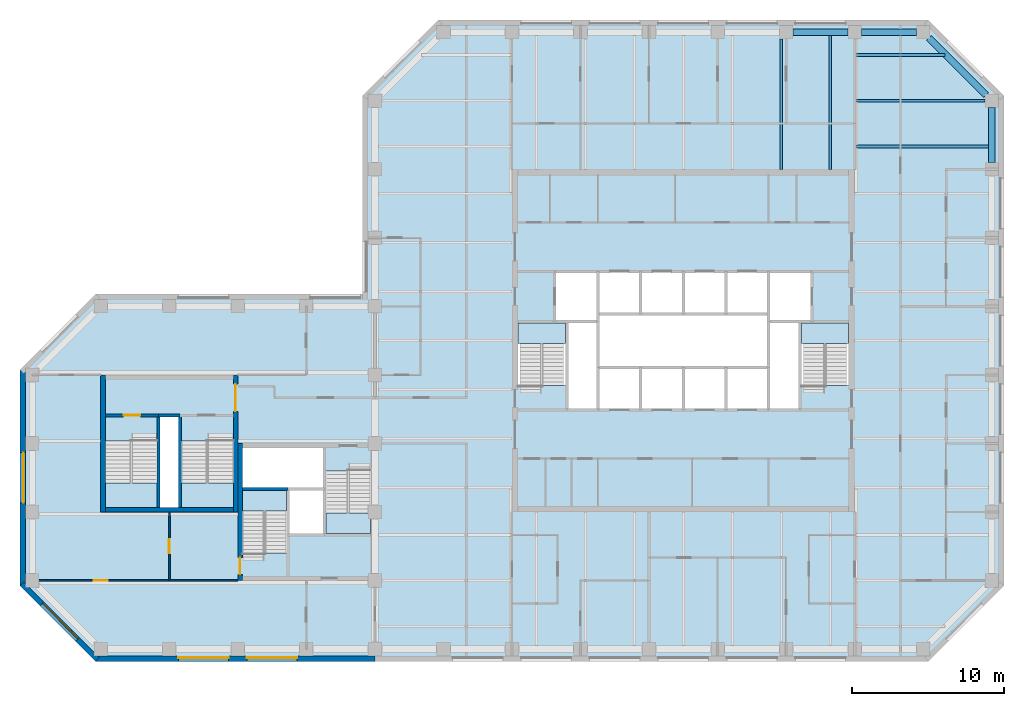
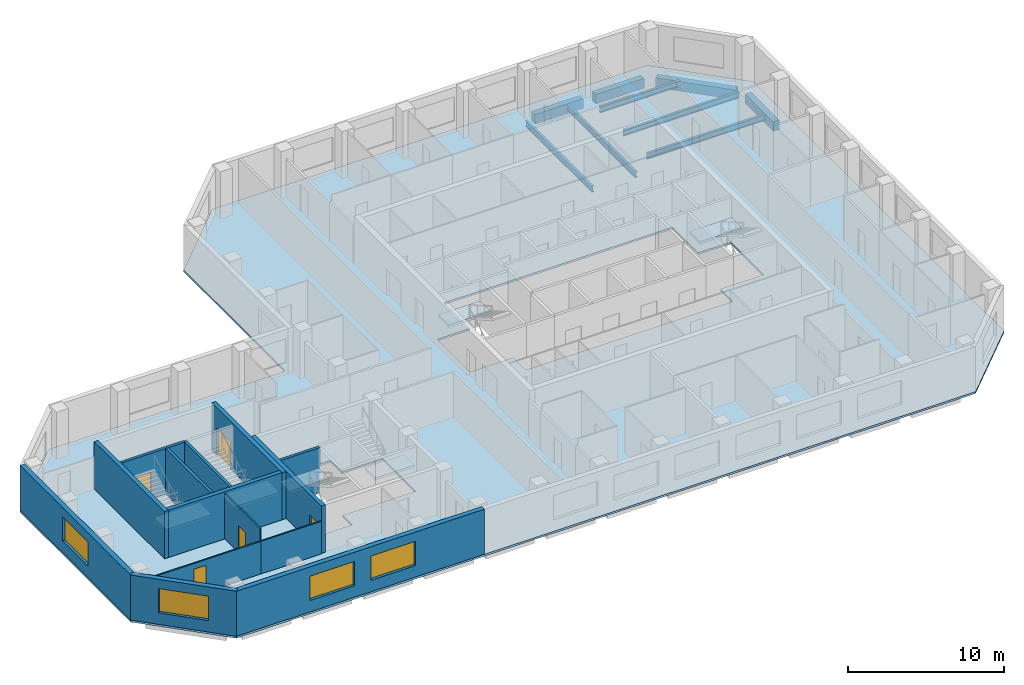
# One storey, part 2 of 9: 15 walls, 9 beams, 7 slabs, 5 doors, 4 windows, 9 openings, 6 elements without a shape of their own.
"""IFC4 building model written with IfcOpenShell, lengths in metres."""

from ifc_helpers import new_model, si_unit, direction, frame, frame_2d, origin, origin_2d, place, context, subcontext, project, spatial, polyline, rectangle, i_section, outline, extrude, material, layer, layer_set, constituent, constituent_set, material_profile, profile_set, type_object, element, fill, aggregate, save


model = new_model("IFC4")

# Units and contexts
model_context = context("Model", 3, precision=1e-05, world=origin(), true_north=direction((0.0, 1.0)))
body_context = subcontext(model_context, "Body", "Model", "MODEL_VIEW")
ifc_project = project(units=[si_unit("LENGTHUNIT", "METRE"), si_unit("AREAUNIT", "SQUARE_METRE"), si_unit("VOLUMEUNIT", "CUBIC_METRE"), si_unit("PLANEANGLEUNIT", "RADIAN"), si_unit("MASSUNIT", "GRAM", prefix="KILO")], contexts=[model_context])

# Site, building, storey
site_placement = place(None, origin())
site = spatial("IfcSite", under=ifc_project, at=site_placement, CompositionType="ELEMENT")
building_placement = place(site_placement, origin())
building = spatial("IfcBuilding", under=site, at=building_placement, Name="Quoin Convention Tower", CompositionType="ELEMENT")
storey_placement = place(building_placement, frame((0.0, 0.0, 237.800048828125)))
storey = spatial("IfcBuildingStorey", under=building, at=storey_placement, Name="L62", CompositionType="ELEMENT", Elevation=237.800048828125)

# Beams
ifc_material_1 = material(Name="Steel Grade 300", Category="steel")
ifc_material_profile_1 = material_profile(ifc_material_1, i_section(OverallWidth=0.18994140625, OverallDepth=0.4541015625, WebThickness=0.008544921875, FlangeThickness=0.0126953125, FilletRadius=0.011474609375, at=origin_2d()), Name="460UB67.1")
ifc_profile_set_1 = profile_set([ifc_material_profile_1], Name="Steel Grade 300")
beam_type_1 = type_object("IfcBeamType", Name="460UB67.1", PredefinedType="BEAM", material=ifc_profile_set_1)
beam_1_placement = place(storey_placement, frame((62.6787109375, 72.0, -0.376953125), z_axis=(0.0, 1.0, 0.0), x_axis=(-1.0, 0.0, 0.0)))
element("IfcBeam", 1, at=beam_1_placement, inside=storey, type_object=beam_type_1, Name="bm-L62-T1N5", PredefinedType="BEAM", context=body_context, shape_type="SweptSolid", body=[
    extrude(i_section(OverallWidth=0.18994140625, OverallDepth=0.4541015625, WebThickness=0.008544921875, FlangeThickness=0.0126953125, FilletRadius=0.011474609375, at=origin_2d()), origin(), (0.0, 0.0, 1.0), 8.550048828125),
])
beam_2_placement = place(storey_placement, frame((65.892822265625, 72.0, -0.376953125), z_axis=(0.0, 1.0, 0.0), x_axis=(-1.0, 0.0, 0.0)))
element("IfcBeam", 2, at=beam_2_placement, inside=storey, type_object=beam_type_1, Name="bm-L62-T1N6", PredefinedType="BEAM", context=body_context, shape_type="SweptSolid", body=[
    extrude(i_section(OverallWidth=0.18994140625, OverallDepth=0.4541015625, WebThickness=0.008544921875, FlangeThickness=0.0126953125, FilletRadius=0.011474609375, at=origin_2d()), origin(), (0.0, 0.0, 1.0), 8.77490234375),
])
beam_3_placement = place(storey_placement, frame((67.5, 79.5, -0.376953125), z_axis=(1.0, 0.0, 0.0), x_axis=(0.0, 1.0, 0.0)))
element("IfcBeam", 3, at=beam_3_placement, inside=storey, type_object=beam_type_1, Name="bm-L62-T1NE0", PredefinedType="BEAM", context=body_context, shape_type="SweptSolid", body=[
    extrude(i_section(OverallWidth=0.18994140625, OverallDepth=0.4541015625, WebThickness=0.008544921875, FlangeThickness=0.0126953125, FilletRadius=0.011474609375, at=origin_2d()), origin(), (0.0, 0.0, 1.0), 5.935791015625),
])
beam_4_placement = place(storey_placement, frame((67.5, 76.5, -0.376953125), z_axis=(1.0, 0.0, 0.0), x_axis=(0.0, 1.0, 0.0)))
element("IfcBeam", 4, at=beam_4_placement, inside=storey, type_object=beam_type_1, Name="bm-L62-T1NE1", PredefinedType="BEAM", context=body_context, shape_type="SweptSolid", body=[
    extrude(i_section(OverallWidth=0.18994140625, OverallDepth=0.4541015625, WebThickness=0.008544921875, FlangeThickness=0.0126953125, FilletRadius=0.011474609375, at=origin_2d()), origin(), (0.0, 0.0, 1.0), 8.550048828125),
])
beam_5_placement = place(storey_placement, frame((67.5, 73.5, -0.376953125), z_axis=(1.0, 0.0, 0.0), x_axis=(0.0, 1.0, 0.0)))
element("IfcBeam", 5, at=beam_5_placement, inside=storey, type_object=beam_type_1, Name="bm-L62-T1NE2", PredefinedType="BEAM", context=body_context, shape_type="SweptSolid", body=[
    extrude(i_section(OverallWidth=0.18994140625, OverallDepth=0.4541015625, WebThickness=0.008544921875, FlangeThickness=0.0126953125, FilletRadius=0.011474609375, at=origin_2d()), origin(), (0.0, 0.0, 1.0), 8.77490234375),
])
ifc_material_2 = material(Name="Concrete C50", Category="concrete")
ifc_material_profile_2 = material_profile(ifc_material_2, rectangle(XDim=0.449951171875, YDim=0.75, at=origin_2d()), Name="RC 450x750")
ifc_profile_set_2 = profile_set([ifc_material_profile_2], Name="Concrete C50")
beam_type_2 = type_object("IfcBeamType", Name="RC 450x750 C50", PredefinedType="SPANDREL", material=ifc_profile_set_2)
beam_6_placement = place(storey_placement, frame((76.5, 72.449951171875, -0.525146484375), z_axis=(0.0, 1.0, 0.0), x_axis=(-1.0, 0.0, 0.0)))
element("IfcBeam", 6, at=beam_6_placement, inside=storey, type_object=beam_type_2, Name="spd-L62-76500_72000-76500_76500", PredefinedType="SPANDREL", context=body_context, shape_type="SweptSolid", body=[
    extrude(rectangle(XDim=0.449951171875, YDim=0.75, at=origin_2d()), origin(), (0.0, 0.0, 1.0), 3.60009765625),
])
beam_7_placement = place(storey_placement, frame((76.135009765625, 76.864990234375, -0.525146484375), z_axis=(-0.707106781187, 0.707106781187, 0.0), x_axis=(-0.707106781187, -0.707106781187, 0.0)))
element("IfcBeam", 7, at=beam_7_placement, inside=storey, type_object=beam_type_2, Name="spd-L62-76500_76500-72000_81000", PredefinedType="SPANDREL", context=body_context, shape_type="SweptSolid", body=[
    extrude(rectangle(XDim=0.449951171875, YDim=0.75, at=origin_2d()), origin(), (0.0, 0.0, 1.0), 5.33154296875),
])
for number, where, z_axis, x_axis, name in (
    (8, (71.550048828125, 81.0, -0.525146484375), (-1.0, 0.0, 0.0), (0.0, -1.0, 0.0), "spd-L62-72000_81000-67500_81000"),
    (9, (67.050048828125, 81.0, -0.525146484375), (-1.0, 0.0, 0.0), (0.0, -1.0, 0.0), "spd-L62-67500_81000-63000_81000"),
):
    element("IfcBeam", number, at=place(storey_placement, frame(where, z_axis=z_axis, x_axis=x_axis)), inside=storey, type_object=beam_type_2, Name=name, PredefinedType="SPANDREL", context=body_context, shape_type="SweptSolid", body=[
        extrude(rectangle(XDim=0.449951171875, YDim=0.75, at=origin_2d()), origin(), (0.0, 0.0, 1.0), 3.60009765625),
    ])

# Slab
ifc_material_3 = material(Name="Concrete C40", Category="concrete")
ifc_layer_1 = layer(ifc_material_3, 0.14990234375)
ifc_layer_set_1 = layer_set([ifc_layer_1], Name="Concrete C40")
slab_type_1 = type_object("IfcSlabType", Name="COMPOSITE SLAB 150 C40", PredefinedType="FLOOR", material=ifc_layer_set_1)
slab_1_placement = place(storey_placement, frame((0.0, 0.0, -0.150146484375)))
element("IfcSlab", 10, at=slab_1_placement, inside=storey, type_object=slab_type_1, Name="slb-L62", PredefinedType="FLOOR", context=body_context, shape_type="SweptSolid", body=[
    extrude(outline(polyline([(17.668701171875, 39.699951171875), (12.699951171875, 44.668701171875), (12.699951171875, 58.831298828125), (17.668701171875, 63.800048828125), (35.199951171875, 63.800048828125), (35.199951171875, 76.831298828125), (40.168701171875, 81.800048828125), (72.331298828125, 81.800048828125), (77.300048828125, 76.831298828125), (77.300048828125, 44.668701171875), (72.331298828125, 39.699951171875), (17.668701171875, 39.699951171875)]), holes=[polyline([(27.300048828125, 51.0), (27.300048828125, 46.800537109375), (30.300048828125, 46.800537109375), (30.300048828125, 48.0), (32.699951171875, 48.0), (35.699951171875, 48.0), (35.699951171875, 52.199462890625), (32.699951171875, 52.199462890625), (32.699951171875, 53.699951171875), (27.300048828125, 53.699951171875), (27.300048828125, 51.0)]), polyline([(18.300048828125, 49.800048828125), (21.800048828125, 49.800048828125), (23.199951171875, 49.800048828125), (26.699951171875, 49.800048828125), (26.699951171875, 54.1494140625), (23.199951171875, 54.1494140625), (23.199951171875, 55.85009765625), (21.800048828125, 55.85009765625), (21.800048828125, 54.1494140625), (18.300048828125, 54.1494140625), (18.300048828125, 49.800048828125)]), polyline([(48.60009765625, 56.199951171875), (50.64990234375, 56.199951171875), (53.449951171875, 56.199951171875), (56.25, 56.199951171875), (59.050048828125, 56.199951171875), (61.85009765625, 56.199951171875), (63.89990234375, 56.199951171875), (63.89990234375, 57.800537109375), (67.10009765625, 57.800537109375), (67.10009765625, 62.0), (64.699951171875, 62.0), (64.699951171875, 65.300048828125), (61.85009765625, 65.300048828125), (59.050048828125, 65.300048828125), (56.25, 65.300048828125), (53.449951171875, 65.300048828125), (50.64990234375, 65.300048828125), (47.800048828125, 65.300048828125), (47.800048828125, 62.0), (45.39990234375, 62.0), (45.39990234375, 57.800537109375), (48.60009765625, 57.800537109375), (48.60009765625, 56.199951171875)])]), origin(), (0.0, 0.0, 1.0), 0.150146484375),
])

# Stair, slab
stair_type_1 = type_object("IfcStairType", Name="Exit stair two-flight 1350", PredefinedType="HALF_TURN_STAIR", material=ifc_material_3)
stair_1_placement = place(storey_placement, origin())
stair_1 = element("IfcStair", 11, at=stair_1_placement, inside=storey, type_object=stair_type_1, Name="SD1 L62", PredefinedType="HALF_TURN_STAIR")
ifc_layer_2 = layer(ifc_material_3, 0.199951171875)
ifc_layer_set_2 = layer_set([ifc_layer_2], Name="Concrete C40")
slab_type_2 = type_object("IfcSlabType", Name="Stair landing 200", PredefinedType="LANDING", material=ifc_layer_set_2)
slab_2_placement = place(storey_placement, frame((0.0, 0.0, 1.792236328125)))
slab_2 = element("IfcSlab", 12, at=slab_2_placement, type_object=slab_type_2, Name="ST1 landing 1", PredefinedType="LANDING", context=body_context, shape_type="SweptSolid", body=[
    extrude(outline(polyline([(45.39990234375, 60.550048828125), (48.5, 60.550048828125), (48.5, 61.89990234375), (45.39990234375, 61.89990234375), (45.39990234375, 60.550048828125)])), origin(), (0.0, 0.0, 1.0), 0.199951171875),
])
aggregate(stair_1, [slab_2])

stair_2_placement = place(storey_placement, origin())
stair_2 = element("IfcStair", 13, at=stair_2_placement, inside=storey, type_object=stair_type_1, Name="SD2 L62", PredefinedType="HALF_TURN_STAIR")
slab_3_placement = place(storey_placement, frame((0.0, 0.0, 1.792236328125)))
slab_3 = element("IfcSlab", 14, at=slab_3_placement, type_object=slab_type_2, Name="ST2 landing 1", PredefinedType="LANDING", context=body_context, shape_type="SweptSolid", body=[
    extrude(outline(polyline([(64.0, 60.550048828125), (67.10009765625, 60.550048828125), (67.10009765625, 61.89990234375), (64.0, 61.89990234375), (64.0, 60.550048828125)])), origin(), (0.0, 0.0, 1.0), 0.199951171875),
])
aggregate(stair_2, [slab_3])

stair_3_placement = place(storey_placement, origin())
stair_3 = element("IfcStair", 15, at=stair_3_placement, inside=storey, type_object=stair_type_1, Name="SD3 L62", PredefinedType="HALF_TURN_STAIR")
slab_4_placement = place(storey_placement, frame((0.0, 0.0, 1.792236328125)))
slab_4 = element("IfcSlab", 16, at=slab_4_placement, type_object=slab_type_2, Name="ST3 landing 1", PredefinedType="LANDING", context=body_context, shape_type="SweptSolid", body=[
    extrude(outline(polyline([(27.300048828125, 49.550048828125), (30.199951171875, 49.550048828125), (30.199951171875, 50.89990234375), (27.300048828125, 50.89990234375), (27.300048828125, 49.550048828125)])), origin(), (0.0, 0.0, 1.0), 0.199951171875),
])
aggregate(stair_3, [slab_4])

stair_4_placement = place(storey_placement, origin())
stair_4 = element("IfcStair", 17, at=stair_4_placement, inside=storey, type_object=stair_type_1, Name="SD4 L62", PredefinedType="HALF_TURN_STAIR")
slab_5_placement = place(storey_placement, frame((0.0, 0.0, 1.792236328125)))
slab_5 = element("IfcSlab", 18, at=slab_5_placement, type_object=slab_type_2, Name="ST4 landing 1", PredefinedType="LANDING", context=body_context, shape_type="SweptSolid", body=[
    extrude(outline(polyline([(35.699951171875, 49.449951171875), (32.800048828125, 49.449951171875), (32.800048828125, 48.10009765625), (35.699951171875, 48.10009765625), (35.699951171875, 49.449951171875)])), origin(), (0.0, 0.0, 1.0), 0.199951171875),
])
aggregate(stair_4, [slab_5])

stair_type_2 = type_object("IfcStairType", Name="Exit stair two-flight 1600", PredefinedType="HALF_TURN_STAIR", material=ifc_material_3)
stair_5_placement = place(storey_placement, origin())
stair_5 = element("IfcStair", 19, at=stair_5_placement, inside=storey, type_object=stair_type_2, Name="SD11 L62", PredefinedType="HALF_TURN_STAIR")
slab_6_placement = place(storey_placement, frame((0.0, 0.0, 1.792236328125)))
slab_6 = element("IfcSlab", 20, at=slab_6_placement, type_object=slab_type_2, Name="ST11 landing 1", PredefinedType="LANDING", context=body_context, shape_type="SweptSolid", body=[
    extrude(outline(polyline([(21.699951171875, 51.39990234375), (18.300048828125, 51.39990234375), (18.300048828125, 49.800048828125), (21.699951171875, 49.800048828125), (21.699951171875, 51.39990234375)])), origin(), (0.0, 0.0, 1.0), 0.199951171875),
])
aggregate(stair_5, [slab_6])

stair_6_placement = place(storey_placement, origin())
stair_6 = element("IfcStair", 21, at=stair_6_placement, inside=storey, type_object=stair_type_2, Name="SD12 L62", PredefinedType="HALF_TURN_STAIR")
slab_7_placement = place(storey_placement, frame((0.0, 0.0, 1.792236328125)))
slab_7 = element("IfcSlab", 22, at=slab_7_placement, type_object=slab_type_2, Name="ST12 landing 1", PredefinedType="LANDING", context=body_context, shape_type="SweptSolid", body=[
    extrude(outline(polyline([(26.699951171875, 51.39990234375), (23.300048828125, 51.39990234375), (23.300048828125, 49.800048828125), (26.699951171875, 49.800048828125), (26.699951171875, 51.39990234375)])), origin(), (0.0, 0.0, 1.0), 0.199951171875),
])
aggregate(stair_6, [slab_7])

# Wall, opening, window
ifc_material_4 = material(Name="Brick masonry", Category="masonry")
ifc_layer_3 = layer(ifc_material_4, 0.35009765625)
ifc_layer_set_3 = layer_set([ifc_layer_3], Name="Brick masonry")
wall_type_1 = type_object("IfcWallType", Name="Brick facade wall", PredefinedType="STANDARD", material=ifc_layer_set_3)
wall_1_placement = place(storey_placement, frame((12.875, 58.831298828125, 0.0), z_axis=(0.0, 0.0, 1.0), x_axis=(0.0, -1.0, 0.0)))
wall_1 = element("IfcWall", 23, at=wall_1_placement, inside=storey, type_object=wall_type_1, Name="fw-L62-13500_58500", PredefinedType="STANDARD", context=body_context, shape_type="SweptSolid", body=[
    extrude(rectangle(XDim=14.16259765625, YDim=0.35009765625, at=frame_2d((7.081298828125, 0.0))), origin(), (0.0, 0.0, 1.0), 3.52490234375),
])
opening_1_placement = place(wall_1_placement, frame((5.431396484375, 0.0, 0.89990234375)))
opening_1 = element("IfcOpeningElement", 24, at=opening_1_placement, cuts=wall_1, Name="Opening W-02", PredefinedType="OPENING", context=body_context, shape_type="SweptSolid", body=[
    extrude(rectangle(XDim=3.300048828125, YDim=1.89990234375, at=frame_2d((1.64990234375, 0.949951171875))), frame((0.0, 0.18505859375, 0.0), z_axis=(0.0, -1.0, 0.0), x_axis=(1.0, 0.0, 0.0)), (0.0, 0.0, 1.0), 0.3701171875),
])
ifc_material_5 = material(Name="Aluminium", Category="aluminium")
ifc_constituent_1 = constituent(ifc_material_5, Name="Frame")
ifc_material_6 = material(Name="Insulated glass", Category="glass")
ifc_constituent_2 = constituent(ifc_material_6, Name="Glazing")
ifc_constituent_set = constituent_set(constituents=[ifc_constituent_1, ifc_constituent_2], Name="Aluminium")
window_type = type_object("IfcWindowType", Name="Office window", PartitioningType="DOUBLE_PANEL_VERTICAL", PredefinedType="WINDOW", material=ifc_constituent_set)
window_1_placement = place(opening_1_placement, origin())
window_1 = element("IfcWindow", 25, at=window_1_placement, inside=storey, type_object=window_type, Name="win-L62-12875_51750", OverallHeight=1.89990234375, OverallWidth=3.300048828125, PartitioningType="SINGLE_PANEL", PredefinedType="WINDOW", context=body_context, shape_type="SweptSolid", body=[
    extrude(rectangle(XDim=3.300048828125, YDim=1.89990234375, at=frame_2d((1.64990234375, 0.949951171875))), frame((0.0, 0.0849609375, 0.0), z_axis=(0.0, -1.0, 0.0), x_axis=(1.0, 0.0, 0.0)), (0.0, 0.0, 1.0), 0.06005859375),
])
fill(opening_1, window_1)

wall_2_placement = place(storey_placement, frame((12.82373046875, 44.79248046875, 0.0), z_axis=(0.0, 0.0, 1.0), x_axis=(0.707106781187, -0.707106781187, 0.0)))
wall_2 = element("IfcWall", 26, at=wall_2_placement, inside=storey, type_object=wall_type_1, Name="fw-L62-13500_45000", PredefinedType="STANDARD", context=body_context, shape_type="SweptSolid", body=[
    extrude(rectangle(XDim=7.02685546875, YDim=0.35009765625, at=frame_2d((3.513427734375, 0.0))), origin(), (0.0, 0.0, 1.0), 3.52490234375),
])
opening_2_placement = place(wall_2_placement, frame((1.86328125, 0.0, 0.89990234375)))
opening_2 = element("IfcOpeningElement", 27, at=opening_2_placement, cuts=wall_2, Name="Opening W-02", PredefinedType="OPENING", context=body_context, shape_type="SweptSolid", body=[
    extrude(rectangle(XDim=3.300048828125, YDim=1.89990234375, at=frame_2d((1.64990234375, 0.949951171875))), frame((0.0, 0.18505859375, 0.0), z_axis=(0.0, -1.0, 0.0), x_axis=(1.0, 0.0, 0.0)), (0.0, 0.0, 1.0), 0.3701171875),
])
window_2_placement = place(opening_2_placement, origin())
window_2 = element("IfcWindow", 28, at=window_2_placement, inside=storey, type_object=window_type, Name="win-L62-15308_42308", OverallHeight=1.89990234375, OverallWidth=3.300048828125, PartitioningType="SINGLE_PANEL", PredefinedType="WINDOW", context=body_context, shape_type="SweptSolid", body=[
    extrude(rectangle(XDim=3.300048828125, YDim=1.89990234375, at=frame_2d((1.64990234375, 0.949951171875))), frame((0.0, 0.0849609375, 0.0), z_axis=(0.0, -1.0, 0.0), x_axis=(1.0, 0.0, 0.0)), (0.0, 0.0, 1.0), 0.06005859375),
])
fill(opening_2, window_2)

# Wall, openings, windows
wall_3_placement = place(storey_placement, frame((17.668701171875, 39.875, 0.0), z_axis=(0.0, 0.0, 1.0), x_axis=(1.0, 0.0, 0.0)))
wall_3 = element("IfcWall", 29, at=wall_3_placement, inside=storey, type_object=wall_type_1, Name="fw-L62-18000_40500", PredefinedType="STANDARD", context=body_context, shape_type="SweptSolid", body=[
    extrude(rectangle(XDim=18.331298828125, YDim=0.35009765625, at=frame_2d((9.16552734375, 0.0))), origin(), (0.0, 0.0, 1.0), 3.52490234375),
])
opening_3_placement = place(wall_3_placement, frame((5.431396484375, 0.0, 0.89990234375)))
opening_3 = element("IfcOpeningElement", 30, at=opening_3_placement, cuts=wall_3, Name="Opening W-02", PredefinedType="OPENING", context=body_context, shape_type="SweptSolid", body=[
    extrude(rectangle(XDim=3.300048828125, YDim=1.89990234375, at=frame_2d((1.64990234375, 0.949951171875))), frame((0.0, 0.18505859375, 0.0), z_axis=(0.0, -1.0, 0.0), x_axis=(1.0, 0.0, 0.0)), (0.0, 0.0, 1.0), 0.3701171875),
])
opening_4_placement = place(wall_3_placement, frame((9.931396484375, 0.0, 0.89990234375)))
opening_4 = element("IfcOpeningElement", 31, at=opening_4_placement, cuts=wall_3, Name="Opening W-02", PredefinedType="OPENING", context=body_context, shape_type="SweptSolid", body=[
    extrude(rectangle(XDim=3.300048828125, YDim=1.89990234375, at=frame_2d((1.64990234375, 0.949951171875))), frame((0.0, 0.18505859375, 0.0), z_axis=(0.0, -1.0, 0.0), x_axis=(1.0, 0.0, 0.0)), (0.0, 0.0, 1.0), 0.3701171875),
])
window_3_placement = place(opening_3_placement, origin())
window_3 = element("IfcWindow", 32, at=window_3_placement, inside=storey, type_object=window_type, Name="win-L62-24750_39875", OverallHeight=1.89990234375, OverallWidth=3.300048828125, PartitioningType="SINGLE_PANEL", PredefinedType="WINDOW", context=body_context, shape_type="SweptSolid", body=[
    extrude(rectangle(XDim=3.300048828125, YDim=1.89990234375, at=frame_2d((1.64990234375, 0.949951171875))), frame((0.0, 0.0849609375, 0.0), z_axis=(0.0, -1.0, 0.0), x_axis=(1.0, 0.0, 0.0)), (0.0, 0.0, 1.0), 0.06005859375),
])
fill(opening_3, window_3)
window_4_placement = place(opening_4_placement, origin())
window_4 = element("IfcWindow", 33, at=window_4_placement, inside=storey, type_object=window_type, Name="win-L62-29250_39875", OverallHeight=1.89990234375, OverallWidth=3.300048828125, PartitioningType="SINGLE_PANEL", PredefinedType="WINDOW", context=body_context, shape_type="SweptSolid", body=[
    extrude(rectangle(XDim=3.300048828125, YDim=1.89990234375, at=frame_2d((1.64990234375, 0.949951171875))), frame((0.0, 0.0849609375, 0.0), z_axis=(0.0, -1.0, 0.0), x_axis=(1.0, 0.0, 0.0)), (0.0, 0.0, 1.0), 0.06005859375),
])
fill(opening_4, window_4)

# Walls
ifc_layer_4 = layer(ifc_material_2, 0.199951171875)
ifc_layer_set_4 = layer_set([ifc_layer_4], Name="Concrete C50")
wall_type_2 = type_object("IfcWallType", Name="Core shaft wall", PredefinedType="SOLIDWALL", material=ifc_layer_set_4)
wall_4_placement = place(storey_placement, frame((27.300048828125, 51.0, 0.0), z_axis=(0.0, 0.0, 1.0), x_axis=(1.0, 0.0, 0.0)))
element("IfcWall", 34, at=wall_4_placement, inside=storey, type_object=wall_type_2, Name="cr-P2-L62-h6000_300", PredefinedType="SOLIDWALL", context=body_context, shape_type="SweptSolid", body=[
    extrude(rectangle(XDim=3.0, YDim=0.199951171875, at=frame_2d((1.5, 0.0))), origin(), (0.0, 0.0, 1.0), 3.550048828125),
])
wall_5_placement = place(storey_placement, frame((21.800048828125, 55.85009765625, 0.0), z_axis=(0.0, 0.0, 1.0), x_axis=(1.0, 0.0, 0.0)))
element("IfcWall", 35, at=wall_5_placement, inside=storey, type_object=wall_type_2, Name="cr-P6-L62-h6350_3800", PredefinedType="SOLIDWALL", context=body_context, shape_type="SweptSolid", body=[
    extrude(rectangle(XDim=1.39990234375, YDim=0.199951171875, at=frame_2d((0.699951171875, 0.0))), origin(), (0.0, 0.0, 1.0), 3.550048828125),
])

# Wall, opening, door
wall_6_placement = place(storey_placement, frame((18.300048828125, 55.85009765625, 0.0), z_axis=(0.0, 0.0, 1.0), x_axis=(1.0, 0.0, 0.0)))
wall_6 = element("IfcWall", 36, at=wall_6_placement, inside=storey, type_object=wall_type_2, Name="cr-P6-L62-h6350_300", PredefinedType="SOLIDWALL", context=body_context, shape_type="SweptSolid", body=[
    extrude(rectangle(XDim=3.5, YDim=0.199951171875, at=frame_2d((1.75, 0.0))), origin(), (0.0, 0.0, 1.0), 3.550048828125),
])
opening_5_placement = place(wall_6_placement, frame((1.199951171875, 0.0, 0.0)))
opening_5 = element("IfcOpeningElement", 37, at=opening_5_placement, cuts=wall_6, Name="Opening SD11", PredefinedType="OPENING", context=body_context, shape_type="SweptSolid", body=[
    extrude(rectangle(XDim=1.10009765625, YDim=2.10009765625, at=frame_2d((0.550048828125, 1.050048828125))), frame((0.0, 0.10986328125, 0.0), z_axis=(0.0, -1.0, 0.0), x_axis=(1.0, 0.0, 0.0)), (0.0, 0.0, 1.0), 0.219970703125),
])
ifc_material_7 = material(Name="Steel door leaf", Category="steel")
door_type_1 = type_object("IfcDoorType", Name="Stair door 1100 x 2100", OperationType="SINGLE_SWING_RIGHT", PredefinedType="DOOR", material=ifc_material_7)
door_1_placement = place(opening_5_placement, origin())
door_1 = element("IfcDoor", 38, at=door_1_placement, inside=storey, type_object=door_type_1, Name="cd-P6-L62-SA-R2-SD11", OperationType="SINGLE_SWING_RIGHT", OverallHeight=2.10009765625, OverallWidth=1.10009765625, PredefinedType="DOOR", context=body_context, shape_type="SweptSolid", body=[
    extrude(rectangle(XDim=1.10009765625, YDim=2.10009765625, at=frame_2d((0.550048828125, 1.050048828125))), frame((0.0, 0.02490234375, 0.0), z_axis=(0.0, -1.0, 0.0), x_axis=(1.0, 0.0, 0.0)), (0.0, 0.0, 1.0), 0.050048828125),
])
fill(opening_5, door_1)

# Walls
for number, where, z_axis, x_axis, name in (
    (39, (21.800048828125, 49.800048828125, 0.0), (0.0, 0.0, 1.0), (0.0, 1.0, 0.0), "cr-P6-L62-v3800_300"),
    (40, (23.199951171875, 49.800048828125, 0.0), (0.0, 0.0, 1.0), (0.0, 1.0, 0.0), "cr-P6-L62-v5200_300"),
):
    element("IfcWall", number, at=place(storey_placement, frame(where, z_axis=z_axis, x_axis=x_axis)), inside=storey, type_object=wall_type_2, Name=name, PredefinedType="SOLIDWALL", context=body_context, shape_type="SweptSolid", body=[
        extrude(rectangle(XDim=6.050048828125, YDim=0.199951171875, at=frame_2d((3.02490234375, 0.0))), origin(), (0.0, 0.0, 1.0), 3.550048828125),
    ])

# Wall, opening, door
ifc_layer_5 = layer(ifc_material_2, 0.300048828125)
ifc_layer_set_5 = layer_set([ifc_layer_5], Name="Concrete C50")
wall_type_3 = type_object("IfcWallType", Name="RC CORE WALL 300 C50", PredefinedType="SHEAR", material=ifc_layer_set_5)
wall_7_placement = place(storey_placement, frame((27.14990234375, 45.0, 0.0), z_axis=(0.0, 0.0, 1.0), x_axis=(0.0, 1.0, 0.0)))
wall_7 = element("IfcWall", 41, at=wall_7_placement, inside=storey, type_object=wall_type_3, Name="cwl-P2-L62-W", PredefinedType="SHEAR", context=body_context, shape_type="SweptSolid", body=[
    extrude(rectangle(XDim=9.0, YDim=0.300048828125, at=frame_2d((4.5, 0.0))), origin(), (0.0, 0.0, 1.0), 3.699951171875),
])
opening_6_placement = place(wall_7_placement, frame((0.39990234375, 0.0, 0.0)))
opening_6 = element("IfcOpeningElement", 42, at=opening_6_placement, cuts=wall_7, Name="Opening SD3", PredefinedType="OPENING", context=body_context, shape_type="SweptSolid", body=[
    extrude(rectangle(XDim=1.10009765625, YDim=2.10009765625, at=frame_2d((0.550048828125, 1.050048828125))), frame((0.0, 0.159912109375, 0.0), z_axis=(0.0, -1.0, 0.0), x_axis=(1.0, 0.0, 0.0)), (0.0, 0.0, 1.0), 0.320068359375),
])
door_2_placement = place(opening_6_placement, frame((1.10009765625, 0.0, 0.0), z_axis=(0.0, 0.0, 1.0), x_axis=(-1.0, 0.0, 0.0)))
door_2 = element("IfcDoor", 43, at=door_2_placement, inside=storey, type_object=door_type_1, Name="cd-P2-L62-SA-W", OperationType="SINGLE_SWING_RIGHT", OverallHeight=2.10009765625, OverallWidth=1.10009765625, PredefinedType="DOOR", context=body_context, shape_type="SweptSolid", body=[
    extrude(rectangle(XDim=1.10009765625, YDim=2.10009765625, at=frame_2d((0.550048828125, 1.050048828125))), frame((0.0, 0.02490234375, 0.0), z_axis=(0.0, -1.0, 0.0), x_axis=(1.0, 0.0, 0.0)), (0.0, 0.0, 1.0), 0.050048828125),
])
fill(opening_6, door_2)

# Walls
wall_8_placement = place(storey_placement, frame((18.300048828125, 49.64990234375, 0.0), z_axis=(0.0, 0.0, 1.0), x_axis=(1.0, 0.0, 0.0)))
element("IfcWall", 44, at=wall_8_placement, inside=storey, type_object=wall_type_3, Name="cwl-P6-L62-S", PredefinedType="SHEAR", context=body_context, shape_type="SweptSolid", body=[
    extrude(rectangle(XDim=8.39990234375, YDim=0.300048828125, at=frame_2d((4.199951171875, 0.0))), origin(), (0.0, 0.0, 1.0), 3.699951171875),
])
wall_9_placement = place(storey_placement, frame((18.14990234375, 49.5, 0.0), z_axis=(0.0, 0.0, 1.0), x_axis=(0.0, 1.0, 0.0)))
element("IfcWall", 45, at=wall_9_placement, inside=storey, type_object=wall_type_3, Name="cwl-P6-L62-W", PredefinedType="SHEAR", context=body_context, shape_type="SweptSolid", body=[
    extrude(rectangle(XDim=9.0, YDim=0.300048828125, at=frame_2d((4.5, 0.0))), origin(), (0.0, 0.0, 1.0), 3.699951171875),
])

# Wall, opening, door
wall_10_placement = place(storey_placement, frame((26.85009765625, 49.5, 0.0), z_axis=(0.0, 0.0, 1.0), x_axis=(0.0, 1.0, 0.0)))
wall_10 = element("IfcWall", 46, at=wall_10_placement, inside=storey, type_object=wall_type_3, Name="cwl-P6-L62-E", PredefinedType="SHEAR", context=body_context, shape_type="SweptSolid", body=[
    extrude(rectangle(XDim=9.0, YDim=0.300048828125, at=frame_2d((4.5, 0.0))), origin(), (0.0, 0.0, 1.0), 3.699951171875),
])
opening_7_placement = place(wall_10_placement, frame((6.60009765625, 0.0, 0.0)))
opening_7 = element("IfcOpeningElement", 47, at=opening_7_placement, cuts=wall_10, Name="Opening DCV3-44", PredefinedType="OPENING", context=body_context, shape_type="SweptSolid", body=[
    extrude(rectangle(XDim=1.800048828125, YDim=2.10009765625, at=frame_2d((0.89990234375, 1.050048828125))), frame((0.0, 0.159912109375, 0.0), z_axis=(0.0, -1.0, 0.0), x_axis=(1.0, 0.0, 0.0)), (0.0, 0.0, 1.0), 0.320068359375),
])
door_type_2 = type_object("IfcDoorType", Name="Goods lobby door 1800 x 2100", OperationType="SINGLE_SWING_LEFT", PredefinedType="DOOR", material=ifc_material_7)
door_3_placement = place(opening_7_placement, origin())
door_3 = element("IfcDoor", 48, at=door_3_placement, inside=storey, type_object=door_type_2, Name="cd-P6-L62-R2-E", OperationType="SINGLE_SWING_LEFT", OverallHeight=2.10009765625, OverallWidth=1.800048828125, PredefinedType="DOOR", context=body_context, shape_type="SweptSolid", body=[
    extrude(rectangle(XDim=1.800048828125, YDim=2.10009765625, at=frame_2d((0.89990234375, 1.050048828125))), frame((0.0, 0.02490234375, 0.0), z_axis=(0.0, -1.0, 0.0), x_axis=(1.0, 0.0, 0.0)), (0.0, 0.0, 1.0), 0.050048828125),
])
fill(opening_7, door_3)

ifc_material_8 = material(Name="Plasterboard")
ifc_layer_6 = layer(ifc_material_8, 0.012451171875, Name="Finish")
ifc_material_9 = material(Name="Steel stud framing", Category="steel")
ifc_layer_7 = layer(ifc_material_9, 0.074951171875, Name="Structure")
ifc_layer_8 = layer(ifc_material_8, 0.012451171875, Name="Finish")
ifc_layer_set_6 = layer_set([ifc_layer_6, ifc_layer_7, ifc_layer_8], Name="Steel stud framing")
wall_type_4 = type_object("IfcWallType", Name="Stud partition 100", PredefinedType="PARTITIONING", material=ifc_layer_set_6)
wall_11_placement = place(storey_placement, frame((22.5, 49.5, 0.0), z_axis=(0.0, 0.0, 1.0), x_axis=(0.0, -1.0, 0.0)))
wall_11 = element("IfcWall", 49, at=wall_11_placement, inside=storey, type_object=wall_type_4, Name="pw-L62-w05", PredefinedType="PARTITIONING", context=body_context, shape_type="SweptSolid", body=[
    extrude(rectangle(XDim=4.5, YDim=0.10009765625, at=frame_2d((2.25, 0.0))), origin(), (0.0, 0.0, 1.0), 3.550048828125),
])
opening_8_placement = place(wall_11_placement, frame((1.800048828125, 0.0, 0.0)))
opening_8 = element("IfcOpeningElement", 50, at=opening_8_placement, cuts=wall_11, Name="Opening DOH11-31", PredefinedType="OPENING", context=body_context, shape_type="SweptSolid", body=[
    extrude(rectangle(XDim=0.89990234375, YDim=2.10009765625, at=frame_2d((0.449951171875, 1.050048828125))), frame((0.0, 0.06005859375, 0.0), z_axis=(0.0, -1.0, 0.0), x_axis=(1.0, 0.0, 0.0)), (0.0, 0.0, 1.0), 0.1201171875),
])
door_type_3 = type_object("IfcDoorType", Name="Office door 900 x 2100", OperationType="SINGLE_SWING_RIGHT", PredefinedType="DOOR", material=ifc_material_7)
door_4_placement = place(opening_8_placement, frame((0.89990234375, 0.0, 0.0), z_axis=(0.0, 0.0, 1.0), x_axis=(-1.0, 0.0, 0.0)))
door_4 = element("IfcDoor", 51, at=door_4_placement, inside=storey, type_object=door_type_3, Name="dr-L62-w05", OperationType="SINGLE_SWING_LEFT", OverallHeight=2.10009765625, OverallWidth=0.89990234375, PredefinedType="DOOR", context=body_context, shape_type="SweptSolid", body=[
    extrude(rectangle(XDim=0.89990234375, YDim=2.10009765625, at=frame_2d((0.449951171875, 1.050048828125))), frame((0.0, 0.02490234375, 0.0), z_axis=(0.0, -1.0, 0.0), x_axis=(1.0, 0.0, 0.0)), (0.0, 0.0, 1.0), 0.050048828125),
])
fill(opening_8, door_4)

ifc_layer_9 = layer(ifc_material_8, 0.012451171875, Name="Finish")
ifc_layer_10 = layer(ifc_material_9, 0.074951171875, Name="Structure")
ifc_layer_11 = layer(ifc_material_8, 0.012451171875, Name="Finish")
ifc_layer_set_7 = layer_set([ifc_layer_9, ifc_layer_10, ifc_layer_11], Name="Steel stud framing")
wall_type_5 = type_object("IfcWallType", Name="Stud partition 100 under beam 1000", PredefinedType="PARTITIONING", material=ifc_layer_set_7)
wall_12_placement = place(storey_placement, frame((22.5, 45.0, 0.0), z_axis=(0.0, 0.0, 1.0), x_axis=(-1.0, 0.0, 0.0)))
wall_12 = element("IfcWall", 52, at=wall_12_placement, inside=storey, type_object=wall_type_5, Name="pw-L62-w04", PredefinedType="PARTITIONING", context=body_context, shape_type="SweptSolid", body=[
    extrude(rectangle(XDim=9.0, YDim=0.10009765625, at=frame_2d((4.5, 0.0))), origin(), (0.0, 0.0, 1.0), 2.550048828125),
])
opening_9_placement = place(wall_12_placement, frame((4.050048828125, 0.0, 0.0)))
opening_9 = element("IfcOpeningElement", 53, at=opening_9_placement, cuts=wall_12, Name="Opening DOH11-30", PredefinedType="OPENING", context=body_context, shape_type="SweptSolid", body=[
    extrude(rectangle(XDim=0.89990234375, YDim=2.10009765625, at=frame_2d((0.449951171875, 1.050048828125))), frame((0.0, 0.06005859375, 0.0), z_axis=(0.0, -1.0, 0.0), x_axis=(1.0, 0.0, 0.0)), (0.0, 0.0, 1.0), 0.1201171875),
])
door_5_placement = place(opening_9_placement, frame((0.89990234375, 0.0, 0.0), z_axis=(0.0, 0.0, 1.0), x_axis=(-1.0, 0.0, 0.0)))
door_5 = element("IfcDoor", 54, at=door_5_placement, inside=storey, type_object=door_type_3, Name="dr-L62-w04", OperationType="SINGLE_SWING_RIGHT", OverallHeight=2.10009765625, OverallWidth=0.89990234375, PredefinedType="DOOR", context=body_context, shape_type="SweptSolid", body=[
    extrude(rectangle(XDim=0.89990234375, YDim=2.10009765625, at=frame_2d((0.449951171875, 1.050048828125))), frame((0.0, 0.02490234375, 0.0), z_axis=(0.0, -1.0, 0.0), x_axis=(1.0, 0.0, 0.0)), (0.0, 0.0, 1.0), 0.050048828125),
])
fill(opening_9, door_5)

# Wall
wall_13_placement = place(storey_placement, frame((22.5, 45.0, 0.0), z_axis=(0.0, 0.0, 1.0), x_axis=(1.0, 0.0, 0.0)))
element("IfcWall", 55, at=wall_13_placement, inside=storey, type_object=wall_type_5, Name="pw-L62-w06", PredefinedType="PARTITIONING", context=body_context, shape_type="SweptSolid", body=[
    extrude(rectangle(XDim=4.5, YDim=0.10009765625, at=frame_2d((2.25, 0.0))), origin(), (0.0, 0.0, 1.0), 2.550048828125),
])

save(model, "model.ifc")
